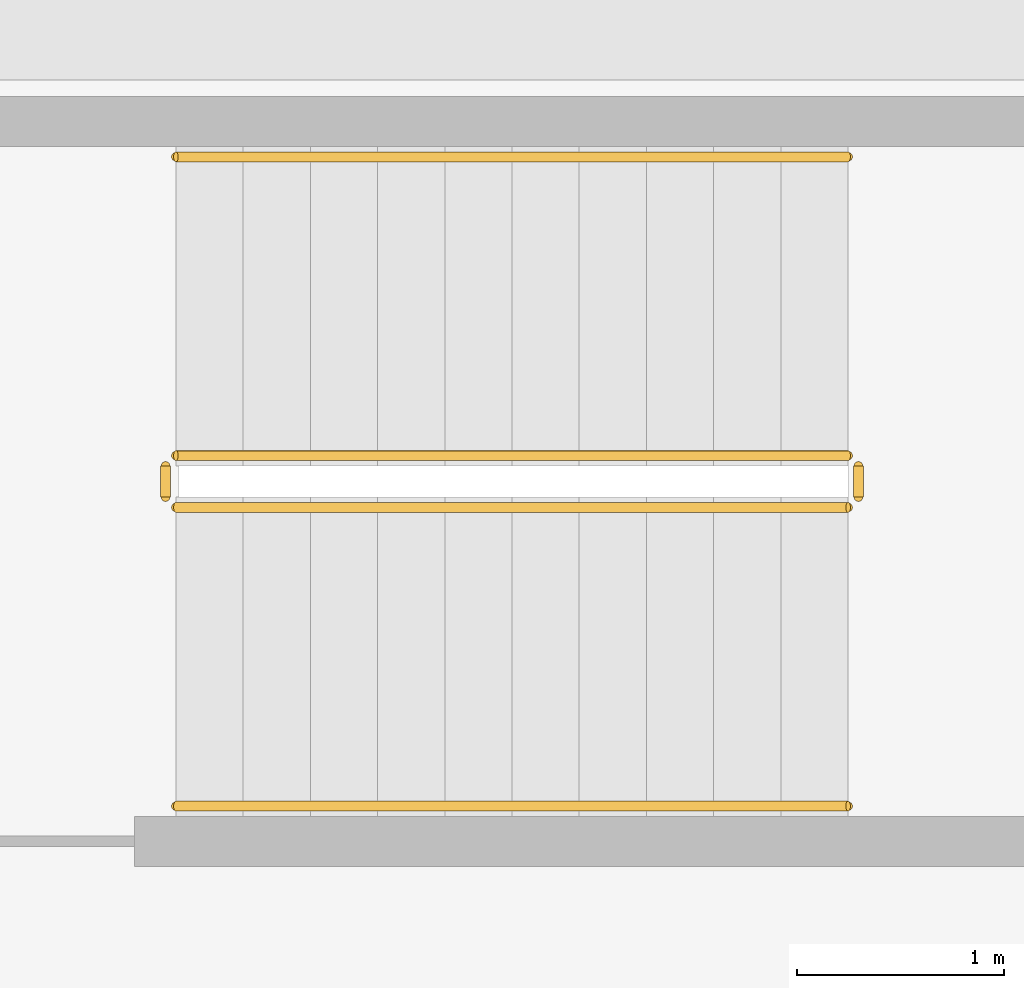
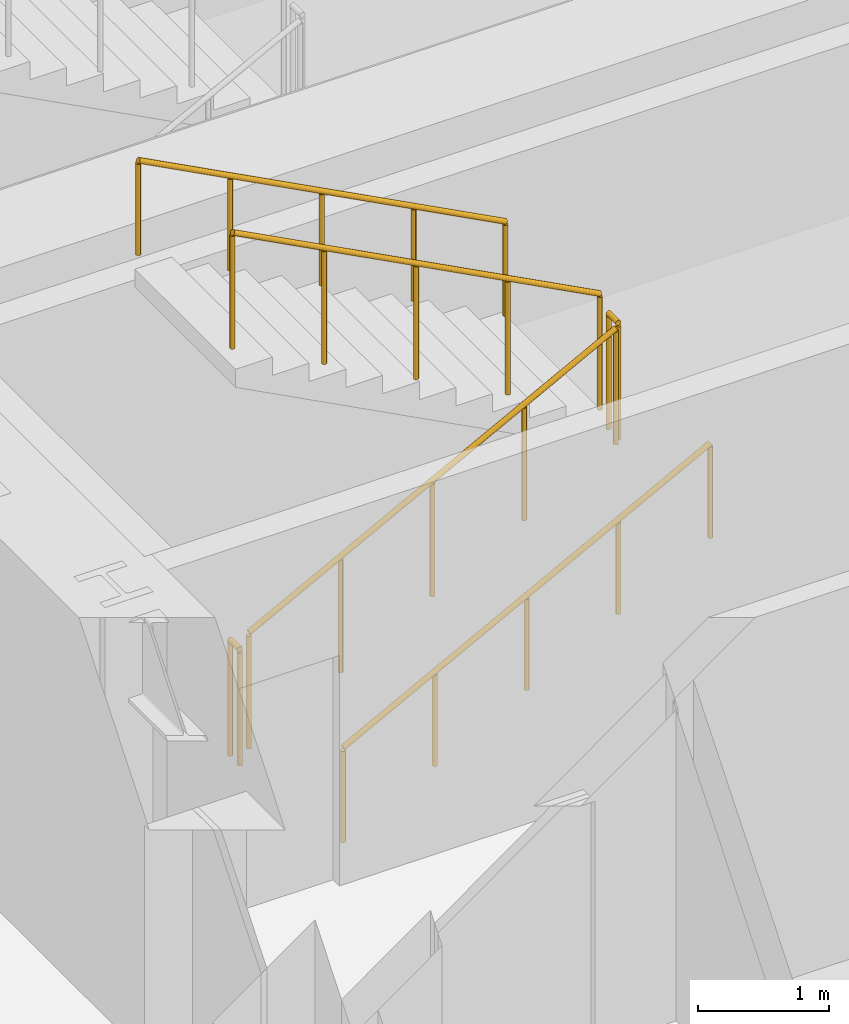
# One storey, part 11 of 14: 6 railings.
"""IFC4 building model written with IfcOpenShell, lengths in metres."""

from ifc_helpers import new_model, si_unit, direction, frame, origin, origin_2d, place, context, subcontext, project, spatial, circle, extrude, material, type_object, element, save


model = new_model("IFC4")

# Units and contexts
model_context = context("Model", 3, precision=1e-05, world=origin(), true_north=direction((0.0, 1.0)))
body_context = subcontext(model_context, "Body", "Model", "MODEL_VIEW")
ifc_project = project(units=[si_unit("LENGTHUNIT", "METRE"), si_unit("AREAUNIT", "SQUARE_METRE"), si_unit("VOLUMEUNIT", "CUBIC_METRE"), si_unit("PLANEANGLEUNIT", "RADIAN"), si_unit("MASSUNIT", "GRAM", prefix="KILO")], contexts=[model_context])

# Site, building, storey
site_placement = place(None, origin())
site = spatial("IfcSite", under=ifc_project, at=site_placement, CompositionType="ELEMENT")
building_placement = place(site_placement, origin())
building = spatial("IfcBuilding", under=site, at=building_placement, Name="Kolvaren Arena Tower", CompositionType="ELEMENT")
storey_placement = place(building_placement, frame((0.0, 0.0, 75.75)))
storey = spatial("IfcBuildingStorey", under=building, at=storey_placement, Name="L16", CompositionType="ELEMENT", Elevation=75.75)

# Railings
ifc_material_1 = material(Name="Painted galvanized steel", Category="steel")
railing_type_1 = type_object("IfcRailingType", Name="GUARD-ST-110", PredefinedType="GUARDRAIL", material=ifc_material_1)
railing_1_placement = place(storey_placement, frame((52.719970703125, 31.639892578125, 0.17041015625)))
element("IfcRailing", 1, at=railing_1_placement, inside=storey, type_object=railing_type_1, Name="L16 ST-E1 stair guard 1", PredefinedType="GUARDRAIL", context=body_context, shape_type="SweptSolid", body=[
    extrude(circle(Radius=0.02392578125, at=origin_2d()), frame((0.0, 0.0, 1.076171875), z_axis=(0.884993431791, 0.0, 0.465603506952), x_axis=(0.0, 1.0, 0.0)), (0.0, 0.0, 1.0), 3.6611328125),
    extrude(circle(Radius=0.02099609375, at=origin_2d()), origin(), (0.0, 0.0, 1.0), 1.052001953125),
    extrude(circle(Radius=0.02099609375, at=origin_2d()), frame((0.81005859375, 0.0, 0.42626953125)), (0.0, 0.0, 1.0), 1.052001953125),
    extrude(circle(Radius=0.02099609375, at=origin_2d()), frame((1.6201171875, 0.0, 0.852294921875)), (0.0, 0.0, 1.0), 1.052001953125),
    extrude(circle(Radius=0.02099609375, at=origin_2d()), frame((2.429931640625, 0.0, 1.2783203125)), (0.0, 0.0, 1.0), 1.052001953125),
    extrude(circle(Radius=0.02099609375, at=origin_2d()), frame((3.239990234375, 0.0, 1.70458984375)), (0.0, 0.0, 1.0), 1.052001953125),
])
railing_2_placement = place(storey_placement, frame((56.010009765625, 31.68994140625, 1.875)))
element("IfcRailing", 2, at=railing_2_placement, inside=storey, type_object=railing_type_1, Name="L16 ST-E1 stair guard 2", PredefinedType="GUARDRAIL", context=body_context, shape_type="SweptSolid", body=[
    extrude(circle(Radius=0.02392578125, at=origin_2d()), frame((0.0, 0.0, 1.076171875), z_axis=(0.0, 1.0, 0.0), x_axis=(-1.0, 0.0, 0.0)), (0.0, 0.0, 1.0), 0.150146484375),
    extrude(circle(Radius=0.02099609375, at=origin_2d()), origin(), (0.0, 0.0, 1.0), 1.052001953125),
    extrude(circle(Radius=0.02099609375, at=origin_2d()), frame((0.0, 0.150146484375, 0.0)), (0.0, 0.0, 1.0), 1.052001953125),
])
railing_3_placement = place(storey_placement, frame((55.9599609375, 31.889892578125, 2.04541015625)))
element("IfcRailing", 3, at=railing_3_placement, inside=storey, type_object=railing_type_1, Name="L16 ST-E1 stair guard 3", PredefinedType="GUARDRAIL", context=body_context, shape_type="SweptSolid", body=[
    extrude(circle(Radius=0.02392578125, at=origin_2d()), frame((0.0, 0.0, 1.076171875), z_axis=(-0.884993431791, 0.0, 0.465603506952), x_axis=(0.0, -1.0, 0.0)), (0.0, 0.0, 1.0), 3.6611328125),
    extrude(circle(Radius=0.02099609375, at=origin_2d()), origin(), (0.0, 0.0, 1.0), 1.052001953125),
    extrude(circle(Radius=0.02099609375, at=origin_2d()), frame((-0.81005859375, 0.0, 0.42626953125)), (0.0, 0.0, 1.0), 1.052001953125),
    extrude(circle(Radius=0.02099609375, at=origin_2d()), frame((-1.6201171875, 0.0, 0.852294921875)), (0.0, 0.0, 1.0), 1.052001953125),
    extrude(circle(Radius=0.02099609375, at=origin_2d()), frame((-2.429931640625, 0.0, 1.2783203125)), (0.0, 0.0, 1.0), 1.052001953125),
    extrude(circle(Radius=0.02099609375, at=origin_2d()), frame((-3.239990234375, 0.0, 1.70458984375)), (0.0, 0.0, 1.0), 1.052001953125),
])
railing_4_placement = place(storey_placement, frame((52.669921875, 31.68994140625, 0.0)))
element("IfcRailing", 4, at=railing_4_placement, inside=storey, type_object=railing_type_1, Name="L16 ST-E1 stair guard 4", PredefinedType="GUARDRAIL", context=body_context, shape_type="SweptSolid", body=[
    extrude(circle(Radius=0.02392578125, at=origin_2d()), frame((0.0, 0.0, 1.076171875), z_axis=(0.0, 1.0, 0.0), x_axis=(-1.0, 0.0, 0.0)), (0.0, 0.0, 1.0), 0.150146484375),
    extrude(circle(Radius=0.02099609375, at=origin_2d()), origin(), (0.0, 0.0, 1.0), 1.052001953125),
    extrude(circle(Radius=0.02099609375, at=origin_2d()), frame((0.0, 0.150146484375, 0.0)), (0.0, 0.0, 1.0), 1.052001953125),
])
ifc_material_2 = material(Name="Brushed stainless steel handrail", Category="steel")
railing_type_2 = type_object("IfcRailingType", Name="HRAIL-900", PredefinedType="HANDRAIL", material=ifc_material_2)
railing_5_placement = place(storey_placement, frame((52.719970703125, 30.199951171875, 0.17041015625)))
element("IfcRailing", 5, at=railing_5_placement, inside=storey, type_object=railing_type_2, Name="L16 ST-E1 stair handrail 1", PredefinedType="HANDRAIL", context=body_context, shape_type="SweptSolid", body=[
    extrude(circle(Radius=0.02392578125, at=origin_2d()), frame((0.0, 0.0, 0.8759765625), z_axis=(0.884993431791, 0.0, 0.465603506952), x_axis=(0.0, 1.0, 0.0)), (0.0, 0.0, 1.0), 3.6611328125),
    extrude(circle(Radius=0.02099609375, at=origin_2d()), origin(), (0.0, 0.0, 1.0), 0.851806640625),
    extrude(circle(Radius=0.02099609375, at=origin_2d()), frame((0.81005859375, 0.0, 0.42626953125)), (0.0, 0.0, 1.0), 0.851806640625),
    extrude(circle(Radius=0.02099609375, at=origin_2d()), frame((1.6201171875, 0.0, 0.852294921875)), (0.0, 0.0, 1.0), 0.851806640625),
    extrude(circle(Radius=0.02099609375, at=origin_2d()), frame((2.429931640625, 0.0, 1.2783203125)), (0.0, 0.0, 1.0), 0.851806640625),
    extrude(circle(Radius=0.02099609375, at=origin_2d()), frame((3.239990234375, 0.0, 1.70458984375)), (0.0, 0.0, 1.0), 0.851806640625),
])
railing_6_placement = place(storey_placement, frame((55.9599609375, 33.330078125, 2.04541015625)))
element("IfcRailing", 6, at=railing_6_placement, inside=storey, type_object=railing_type_2, Name="L16 ST-E1 stair handrail 2", PredefinedType="HANDRAIL", context=body_context, shape_type="SweptSolid", body=[
    extrude(circle(Radius=0.02392578125, at=origin_2d()), frame((0.0, 0.0, 0.8759765625), z_axis=(-0.884993431791, 0.0, 0.465603506952), x_axis=(0.0, -1.0, 0.0)), (0.0, 0.0, 1.0), 3.6611328125),
    extrude(circle(Radius=0.02099609375, at=origin_2d()), origin(), (0.0, 0.0, 1.0), 0.851806640625),
    extrude(circle(Radius=0.02099609375, at=origin_2d()), frame((-0.81005859375, 0.0, 0.42626953125)), (0.0, 0.0, 1.0), 0.851806640625),
    extrude(circle(Radius=0.02099609375, at=origin_2d()), frame((-1.6201171875, 0.0, 0.852294921875)), (0.0, 0.0, 1.0), 0.851806640625),
    extrude(circle(Radius=0.02099609375, at=origin_2d()), frame((-2.429931640625, 0.0, 1.2783203125)), (0.0, 0.0, 1.0), 0.851806640625),
    extrude(circle(Radius=0.02099609375, at=origin_2d()), frame((-3.239990234375, 0.0, 1.70458984375)), (0.0, 0.0, 1.0), 0.851806640625),
])

save(model, "model.ifc")
